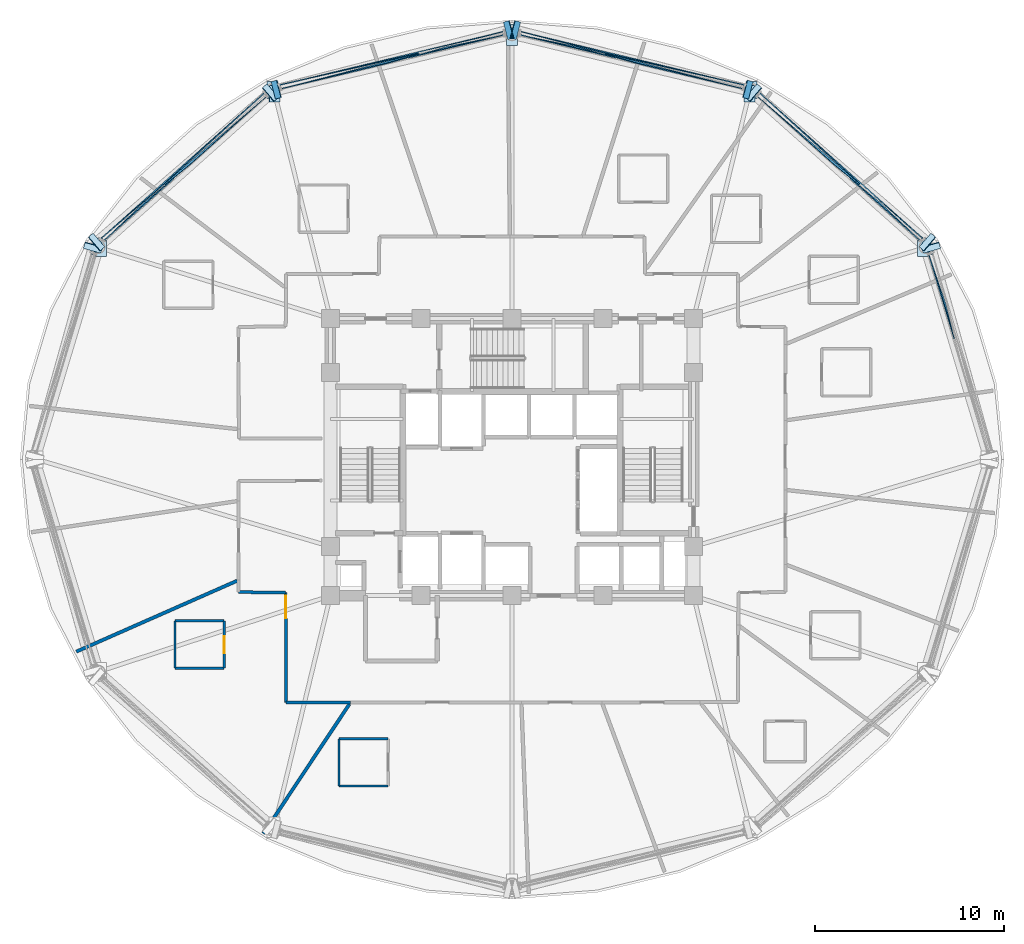
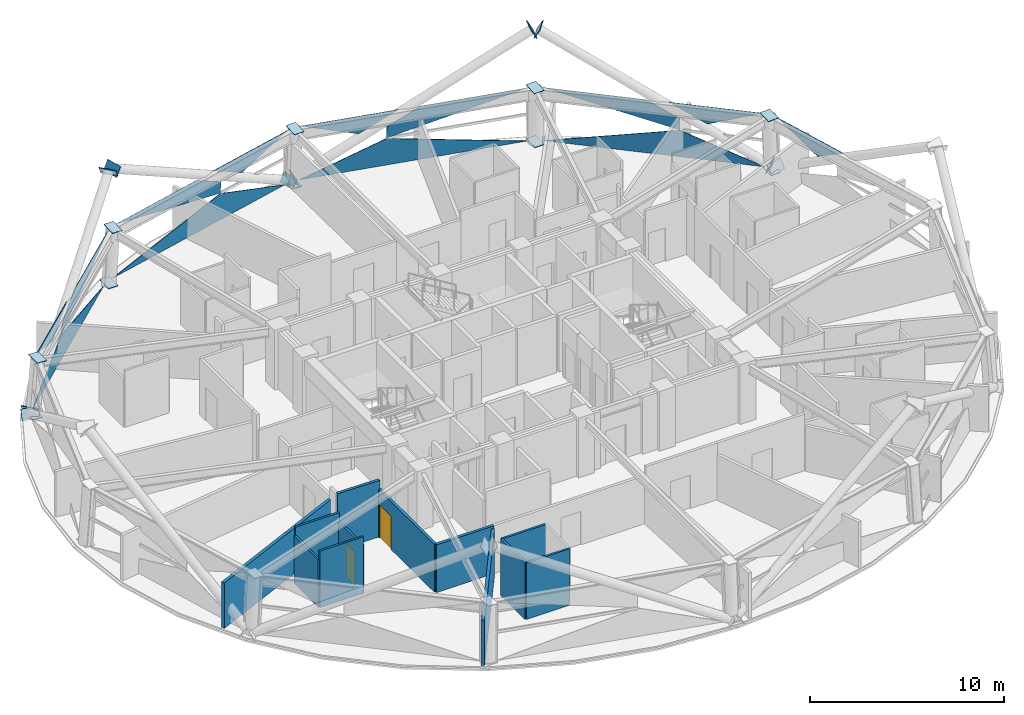
# One storey, part 5 of 13: 33 plates, 12 walls, 2 doors, 2 openings, 5 elements without a shape of their own.
"""IFC4 building model written with IfcOpenShell, lengths in metres."""

from ifc_helpers import new_model, si_unit, direction, frame, frame_2d, origin, place, context, subcontext, project, spatial, polyline, rectangle, outline, extrude, material, layer, layer_set, type_object, element, fill, aggregate, save


model = new_model("IFC4")

# Units and contexts
model_context = context("Model", 3, precision=1e-05, world=origin(), true_north=direction((0.0, 1.0)))
body_context = subcontext(model_context, "Body", "Model", "MODEL_VIEW")
ifc_project = project(units=[si_unit("LENGTHUNIT", "METRE"), si_unit("AREAUNIT", "SQUARE_METRE"), si_unit("VOLUMEUNIT", "CUBIC_METRE"), si_unit("PLANEANGLEUNIT", "RADIAN"), si_unit("MASSUNIT", "GRAM", prefix="KILO")], contexts=[model_context])

# Site, building, storey
site_placement = place(None, origin())
site = spatial("IfcSite", under=ifc_project, at=site_placement, CompositionType="ELEMENT")
building_placement = place(site_placement, origin())
building = spatial("IfcBuilding", under=site, at=building_placement, Name="Vantalir Tower", CompositionType="ELEMENT")
storey_placement = place(building_placement, frame((0.0, 0.0, 127.199951171875)))
storey = spatial("IfcBuildingStorey", under=building, at=storey_placement, Name="L31", CompositionType="ELEMENT", Elevation=127.199951171875)

# Curtain wall, plate
ifc_material_1 = material(Name="Champagne-silver PVDF aluminium and double-silver Low-E glass", Category="aluminium")
ifc_layer_1 = layer(ifc_material_1, 0.199951171875)
ifc_layer_set_1 = layer_set([ifc_layer_1], Name="Champagne-silver PVDF aluminium and double-silver Low-E glass")
curtain_wall_type = type_object("IfcCurtainWallType", Name="CW-DIAMOND-Z2", PredefinedType="USERDEFINED", material=ifc_layer_set_1)
curtain_wall_1_placement = place(storey_placement, origin())
curtain_wall_1 = element("IfcCurtainWall", 1, at=curtain_wall_1_placement, inside=storey, type_object=curtain_wall_type, Name="L31 Quilted Pyramid-Diamond Curtain Wall S01", ObjectType="UNITISED CURTAIN WALL", PredefinedType="USERDEFINED")
ifc_material_2 = material(Name="Double-silver Low-E laminated glass IGU", Category="glass")
ifc_layer_2 = layer(ifc_material_2, 0.028076171875)
ifc_layer_set_2 = layer_set([ifc_layer_2], Name="Double-silver Low-E laminated glass IGU")
plate_type_1 = type_object("IfcPlateType", Name="CWP-IGU-28", PredefinedType="CURTAIN_PANEL", material=ifc_layer_set_2)
plate_1_placement = place(storey_placement, frame((54.8955078125, 31.390380859375, 3.526123046875), z_axis=(0.954464104771, 0.286951112937, 0.081592472003), x_axis=(-0.287906953715, 0.95765838546, -5.2537765e-05)))
plate_1 = element("IfcPlate", 2, at=plate_1_placement, type_object=plate_type_1, Name="CW-L31-S01 Pyramid Diamond Facet 2U Infill Light", PredefinedType="CURTAIN_PANEL", context=body_context, shape_type="SweptSolid", body=[
    extrude(outline(polyline([(0.0, 0.0), (4.646954885025732, 1.0733601507606494e-17), (1.9009027733540358, -1.1516893417151628), (0.0, 0.0)])), origin(), (0.0, 0.0, -1.0), 0.028076171875),
])
aggregate(curtain_wall_1, [plate_1])

# Curtain wall, plates
curtain_wall_2_placement = place(storey_placement, origin())
curtain_wall_2 = element("IfcCurtainWall", 3, at=curtain_wall_2_placement, inside=storey, type_object=curtain_wall_type, Name="L31 Quilted Pyramid-Diamond Curtain Wall S02", ObjectType="UNITISED CURTAIN WALL", PredefinedType="USERDEFINED")
plate_2_placement = place(storey_placement, frame((53.270263671875, 36.6806640625, 0.046630859375), z_axis=(0.664495598822, 0.745553237794, 0.05095065025), x_axis=(-0.746522128378, 0.665360587501, -2.1031755e-05)))
plate_2 = element("IfcPlate", 4, at=plate_2_placement, type_object=plate_type_1, Name="CW-L31-S02 Pyramid Diamond Facet 1L", PredefinedType="CURTAIN_PANEL", context=body_context, shape_type="SweptSolid", body=[
    extrude(outline(polyline([(0.0, 0.0), (11.60819104345454, 3.3881317890172014e-17), (4.432605322571224, 1.7289012709835132), (0.0, 0.0)])), origin(), (0.0, 0.0, -1.0), 0.028076171875),
])
plate_3_placement = place(storey_placement, frame((48.539794921875, 40.595947265625, 3.5234375), z_axis=(0.66339531728, 0.744191889162, 0.078006955569), x_axis=(-0.746468882585, 0.665420322245, 4.5566498e-05)))
plate_3 = element("IfcPlate", 5, at=plate_3_placement, type_object=plate_type_1, Name="CW-L31-S02 Pyramid Diamond Facet 2U", PredefinedType="CURTAIN_PANEL", context=body_context, shape_type="SweptSolid", body=[
    extrude(outline(polyline([(0.0, 0.0), (5.436361993796719, 1.0381235801548705e-17), (-1.7039841558390287, -1.732006743199589), (-1.703850767369234, -0.9767721459295923), (0.0, 0.0)])), origin(), (0.0, 0.0, -1.0), 0.028076171875),
])
plate_4_placement = place(storey_placement, frame((53.07763671875, 36.593505859375, 3.52587890625), z_axis=(0.663383076974, 0.744191700936, 0.07811277387), x_axis=(-0.746475119332, 0.665413325492, 4.9761691e-05)))
plate_4 = element("IfcPlate", 6, at=plate_4_placement, type_object=plate_type_1, Name="CW-L31-S02 Pyramid Diamond Facet 2U Infill Light", PredefinedType="CURTAIN_PANEL", context=body_context, shape_type="SweptSolid", body=[
    extrude(outline(polyline([(0.0, 0.0), (4.906196363119461, 1.1655173354219173e-18), (2.894255856505623, -1.1533261819449703), (0.0, 0.0)])), origin(), (0.0, 0.0, -1.0), 0.028076171875),
])
aggregate(curtain_wall_2, [plate_2, plate_3, plate_4])

curtain_wall_3_placement = place(storey_placement, origin())
curtain_wall_3 = element("IfcCurtainWall", 7, at=curtain_wall_3_placement, inside=storey, type_object=curtain_wall_type, Name="L31 Quilted Pyramid-Diamond Curtain Wall S03", ObjectType="UNITISED CURTAIN WALL", PredefinedType="USERDEFINED")
plate_5_placement = place(storey_placement, frame((43.822509765625, 44.812744140625, 0.04638671875), z_axis=(0.232037242164, 0.971529547139, 0.04784409352), x_axis=(-0.972643625373, 0.232302340973, 1.9988155e-05)))
plate_5 = element("IfcPlate", 8, at=plate_5_placement, type_object=plate_type_1, Name="CW-L31-S03 Pyramid Diamond Facet 1L", PredefinedType="CURTAIN_PANEL", context=body_context, shape_type="SweptSolid", body=[
    extrude(outline(polyline([(0.0, 0.0), (12.214264961195568, 2.4015078120553923e-17), (7.565464822141652, 1.7291238681556835), (0.0, 0.0)])), origin(), (0.0, 0.0, -1.0), 0.028076171875),
])
plate_6_placement = place(storey_placement, frame((43.699462890625, 44.621826171875, 3.523681640625), z_axis=(0.231644734537, 0.969894203684, 0.075139540999), x_axis=(-0.972643853908, 0.232301384961, 8.05913e-07)))
plate_6 = element("IfcPlate", 9, at=plate_6_placement, type_object=plate_type_1, Name="CW-L31-S03 Pyramid Diamond Facet 2U", PredefinedType="CURTAIN_PANEL", context=body_context, shape_type="SweptSolid", body=[
    extrude(outline(polyline([(0.0, 0.0), (5.710148549082247, 0.0), (7.4900020245814565, -0.976154268160542), (7.489995886162865, -1.7319483838426646), (0.0, 0.0)])), origin(), (0.0, 0.0, -1.0), 0.028076171875),
])
plate_7_placement = place(storey_placement, frame((37.0, 46.25439453125, 3.526123046875), z_axis=(0.231622970401, 0.969877846155, 0.075417260089), x_axis=(-0.972647058817, 0.232287960868, -4.7021854e-05)))
plate_7 = element("IfcPlate", 10, at=plate_7_placement, type_object=plate_type_1, Name="CW-L31-S03 Pyramid Diamond Facet 2U Infill Light", PredefinedType="CURTAIN_PANEL", context=body_context, shape_type="SweptSolid", body=[
    extrude(outline(polyline([(0.0, 0.0), (5.1920671350909995, 7.182839392716467e-18), (2.114330750410675, -1.1594526294972156), (0.0, 0.0)])), origin(), (0.0, 0.0, -1.0), 0.028076171875),
])
aggregate(curtain_wall_3, [plate_5, plate_6, plate_7])

curtain_wall_4_placement = place(storey_placement, origin())
curtain_wall_4 = element("IfcCurtainWall", 11, at=curtain_wall_4_placement, inside=storey, type_object=curtain_wall_type, Name="L31 Quilted Pyramid-Diamond Curtain Wall S04", ObjectType="UNITISED CURTAIN WALL", PredefinedType="USERDEFINED")
plate_8_placement = place(storey_placement, frame((31.0576171875, 47.650146484375, 0.046630859375), z_axis=(-0.232037242164, 0.971529547139, 0.04784409352), x_axis=(-0.972643625373, -0.232302340973, -1.9988155e-05)))
plate_8 = element("IfcPlate", 12, at=plate_8_placement, type_object=plate_type_1, Name="CW-L31-S04 Pyramid Diamond Facet 1L", PredefinedType="CURTAIN_PANEL", context=body_context, shape_type="SweptSolid", body=[
    extrude(outline(polyline([(0.0, 0.0), (12.214264961195568, -2.4015078120553923e-17), (4.648800139053915, 1.7291238681556835), (0.0, 0.0)])), origin(), (0.0, 0.0, -1.0), 0.028076171875),
])
plate_9_placement = place(storey_placement, frame((24.85498046875, 45.9482421875, 3.523681640625), z_axis=(-0.231668009099, 0.969888032768, 0.075147438097), x_axis=(-0.972638251566, -0.232324840664, -1.126307e-06)))
plate_9 = element("IfcPlate", 13, at=plate_9_placement, type_object=plate_type_1, Name="CW-L31-S04 Pyramid Diamond Facet 2U", PredefinedType="CURTAIN_PANEL", context=body_context, shape_type="SweptSolid", body=[
    extrude(outline(polyline([(0.0, 0.0), (5.709673624926057, 0.0), (-1.779612461049449, -1.7319499890499306), (-1.7796174731665495, -0.9759124235670151), (0.0, 0.0)])), origin(), (0.0, 0.0, -1.0), 0.028076171875),
])
plate_10_placement = place(storey_placement, frame((31.050048828125, 47.46044921875, 3.52587890625), z_axis=(-0.231633913131, 0.969876772604, 0.075397455201), x_axis=(-0.972644521452, -0.232298585185, 4.7024005e-05)))
plate_10 = element("IfcPlate", 14, at=plate_10_placement, type_object=plate_type_1, Name="CW-L31-S04 Pyramid Diamond Facet 2U Infill Light", PredefinedType="CURTAIN_PANEL", context=body_context, shape_type="SweptSolid", body=[
    extrude(outline(polyline([(0.0, 0.0), (5.191829672739885, -1.8973538018496328e-18), (3.0774979648221437, -1.159450883424487), (0.0, 0.0)])), origin(), (0.0, 0.0, -1.0), 0.028076171875),
])
aggregate(curtain_wall_4, [plate_8, plate_9, plate_10])

curtain_wall_5_placement = place(storey_placement, origin())
curtain_wall_5 = element("IfcCurtainWall", 15, at=curtain_wall_5_placement, inside=storey, type_object=curtain_wall_type, Name="L31 Quilted Pyramid-Diamond Curtain Wall S05", ObjectType="UNITISED CURTAIN WALL", PredefinedType="USERDEFINED")
plate_11_placement = place(storey_placement, frame((18.3955078125, 44.404296875, 0.04638671875), z_axis=(-0.664492413403, 0.745549666776, 0.051044362078), x_axis=(-0.746522128378, -0.665360587501, 2.1031755e-05)))
plate_11 = element("IfcPlate", 16, at=plate_11_placement, type_object=plate_type_1, Name="CW-L31-S05 Pyramid Diamond Facet 1L", PredefinedType="CURTAIN_PANEL", context=body_context, shape_type="SweptSolid", body=[
    extrude(outline(polyline([(0.0, 0.0), (11.60819104345454, 5.827586677109586e-18), (7.175403464504319, 1.7289095589256502), (0.0, 0.0)])), origin(), (0.0, 0.0, -1.0), 0.028076171875),
])
plate_12_placement = place(storey_placement, frame((18.519287109375, 44.21337890625, 3.523681640625), z_axis=(-0.663346064852, 0.744232583303, 0.07803755632), x_axis=(-0.746511477638, -0.665372536034, -4.5230868e-05)))
plate_12 = element("IfcPlate", 17, at=plate_12_placement, type_object=plate_type_1, Name="CW-L31-S05 Pyramid Diamond Facet 2U", PredefinedType="CURTAIN_PANEL", context=body_context, shape_type="SweptSolid", body=[
    extrude(outline(polyline([(0.0, 0.0), (5.436726493141416, -5.4752209710517974e-18), (7.140764058625557, -0.9767768710721759), (7.14090096863787, -1.7320114687632533), (0.0, 0.0)])), origin(), (0.0, 0.0, -1.0), 0.028076171875),
])
plate_13_placement = place(storey_placement, frame((13.585205078125, 39.8583984375, 3.526123046875), z_axis=(-0.663364952544, 0.744214935894, 0.078045300489), x_axis=(-0.74649446604, -0.665391621299, -4.9756346e-05)))
plate_13 = element("IfcPlate", 18, at=plate_13_placement, type_object=plate_type_1, Name="CW-L31-S05 Pyramid Diamond Facet 2U Infill Light", PredefinedType="CURTAIN_PANEL", context=body_context, shape_type="SweptSolid", body=[
    extrude(outline(polyline([(0.0, 0.0), (4.906723309422983, 3.596840707220661e-17), (2.01228781774085, -1.1533200621248239), (0.0, 0.0)])), origin(), (0.0, 0.0, -1.0), 0.028076171875),
])
aggregate(curtain_wall_5, [plate_11, plate_12, plate_13])

# Plates
ifc_material_3 = material(Name="Steel S460", Category="steel")
ifc_layer_3 = layer(ifc_material_3, 0.0400390625)
ifc_layer_set_3 = layer_set([ifc_layer_3], Name="Steel S460")
plate_type_2 = type_object("IfcPlateType", Name="PLT-KN-Z1", PredefinedType="USERDEFINED", material=ifc_layer_set_3)
plate_14_placement = place(storey_placement, frame((53.652587890625, 36.9677734375, -0.075439453125), z_axis=(-0.657880455945, 0.565362533472, 0.497552521279), x_axis=(-0.651764433453, -0.758421468107, 0.0)))
element("IfcPlate", 19, at=plate_14_placement, inside=storey, type_object=plate_type_2, Name="Node Cap Plate MEM-DG-L31-R04L Start", ObjectType="FLANGE_PLATE", PredefinedType="USERDEFINED", context=body_context, shape_type="SweptSolid", body=[
    extrude(outline(polyline([(0.0, 0.0), (0.9499453993214806, -2.7755575615628914e-17), (0.9500794233625794, 0.6200378222350169), (0.0001340240410987885, 0.6200378222350169), (0.0, 0.0)])), origin(), (0.0, 0.0, -1.0), 0.0400390625),
])
plate_15_placement = place(storey_placement, frame((44.458251953125, 44.870361328125, 6.877685546875), z_axis=(-0.657964454071, 0.565434718917, 0.497359382964), x_axis=(-0.651764433453, -0.758421468107, 0.0)))
element("IfcPlate", 20, at=plate_15_placement, inside=storey, type_object=plate_type_2, Name="Node Cap Plate MEM-DG-L31-R04L End", ObjectType="FLANGE_PLATE", PredefinedType="USERDEFINED", context=body_context, shape_type="SweptSolid", body=[
    extrude(outline(polyline([(0.0, 0.0), (0.9499453993214806, 0.0), (0.9498942618713423, 0.6199586659604027), (-5.1137450138307313e-05, 0.6199586659604027), (0.0, 0.0)])), origin(), (0.0, 0.0, -1.0), 0.0400390625),
])
plate_16_placement = place(storey_placement, frame((53.248046875, 35.90771484375, -0.06689453125), z_axis=(0.22987995542, -0.823699878502, 0.518337454032), x_axis=(0.963193206575, 0.268810057118, 0.0)))
element("IfcPlate", 21, at=plate_16_placement, inside=storey, type_object=plate_type_2, Name="Node Cap Plate MEM-DG-L31-R04R Start", ObjectType="FLANGE_PLATE", PredefinedType="USERDEFINED", context=body_context, shape_type="SweptSolid", body=[
    extrude(outline(polyline([(0.0, 0.0), (0.9500057270479744, -2.7755575615628914e-17), (0.9499766150601323, 0.6200750855473708), (-2.9111987842133505e-05, 0.6200750855473708), (0.0, 0.0)])), origin(), (0.0, 0.0, -1.0), 0.0400390625),
])
plate_17_placement = place(storey_placement, frame((31.0439453125, 48.12939453125, -0.08203125), z_axis=(-0.849163873322, -0.217725662174, 0.481161357837), x_axis=(0.248345317518, -0.968671565466, -3.9043608e-05)))
element("IfcPlate", 22, at=plate_17_placement, inside=storey, type_object=plate_type_2, Name="Node Cap Plate MEM-DG-L31-R10L Start", ObjectType="FLANGE_PLATE", PredefinedType="USERDEFINED", context=body_context, shape_type="SweptSolid", body=[
    extrude(outline(polyline([(0.0, 0.0), (0.9499083757236314, 1.3877787807814457e-17), (0.9500173748775769, 0.6199797567109566), (-0.00018812410850180944, 0.6198951290716097), (0.0, 0.0)])), origin(), (0.0, 0.0, -1.0), 0.0400390625),
])
plate_18_placement = place(storey_placement, frame((18.75634765625, 44.97998046875, 6.8779296875), z_axis=(-0.849281928704, -0.217672152594, 0.48097717156), x_axis=(0.248276411705, -0.968689229521, 0.0)))
element("IfcPlate", 23, at=plate_18_placement, inside=storey, type_object=plate_type_2, Name="Node Cap Plate MEM-DG-L31-R10L End", ObjectType="FLANGE_PLATE", PredefinedType="USERDEFINED", context=body_context, shape_type="SweptSolid", body=[
    extrude(outline(polyline([(0.0, 0.0), (0.9499083788509355, 1.3877787807814457e-17), (0.9499567573915874, 0.6198659774651539), (4.837854065190657e-05, 0.6198659774651539), (0.0, 0.0)])), origin(), (0.0, 0.0, -1.0), 0.0400390625),
])
plate_19_placement = place(storey_placement, frame((31.72021484375, 47.209228515625, -0.08203125), z_axis=(0.849163873322, -0.217725662174, 0.481161357837), x_axis=(0.248345317518, 0.968671565466, 3.9043608e-05)))
element("IfcPlate", 24, at=plate_19_placement, inside=storey, type_object=plate_type_2, Name="Node Cap Plate MEM-DG-L31-R10R Start", ObjectType="FLANGE_PLATE", PredefinedType="USERDEFINED", context=body_context, shape_type="SweptSolid", body=[
    extrude(outline(polyline([(0.0, 0.0), (0.9499083757236314, -1.3877787807814457e-17), (0.9500964998321331, 0.6198951290716097), (-0.00010899915394550079, 0.6199797567109566), (0.0, 0.0)])), origin(), (0.0, 0.0, -1.0), 0.0400390625),
])
plate_20_placement = place(storey_placement, frame((44.0087890625, 44.059814453125, 6.8779296875), z_axis=(0.849281928704, -0.217672152594, 0.48097717156), x_axis=(0.248276411705, 0.968689229521, 0.0)))
element("IfcPlate", 25, at=plate_20_placement, inside=storey, type_object=plate_type_2, Name="Node Cap Plate MEM-DG-L31-R10R End", ObjectType="FLANGE_PLATE", PredefinedType="USERDEFINED", context=body_context, shape_type="SweptSolid", body=[
    extrude(outline(polyline([(0.0, 0.0), (0.9499083788509355, -1.3877787807814457e-17), (0.9498600003102835, 0.6198659774651539), (-4.837854065190657e-05, 0.6198659774651539), (0.0, 0.0)])), origin(), (0.0, 0.0, -1.0), 0.0400390625),
])
plate_21_placement = place(storey_placement, frame((8.8369140625, 36.1630859375, -0.06689453125), z_axis=(-0.22987995542, -0.823699878502, 0.518337454032), x_axis=(0.963193206575, -0.268810057118, 0.0)))
element("IfcPlate", 26, at=plate_21_placement, inside=storey, type_object=plate_type_2, Name="Node Cap Plate MEM-DG-L31-R16L Start", ObjectType="FLANGE_PLATE", PredefinedType="USERDEFINED", context=body_context, shape_type="SweptSolid", body=[
    extrude(outline(polyline([(0.0, 0.0), (0.9500057270479744, 2.7755575615628914e-17), (0.9500348390358164, 0.6200750855473708), (2.9111987842133505e-05, 0.6200750855473708), (0.0, 0.0)])), origin(), (0.0, 0.0, -1.0), 0.0400390625),
])
plate_22_placement = place(storey_placement, frame((9.966552734375, 36.247314453125, -0.075439453125), z_axis=(0.657880455945, 0.565362533472, 0.497552521279), x_axis=(-0.651764433453, 0.758421468107, 0.0)))
element("IfcPlate", 27, at=plate_22_placement, inside=storey, type_object=plate_type_2, Name="Node Cap Plate MEM-DG-L31-R16R Start", ObjectType="FLANGE_PLATE", PredefinedType="USERDEFINED", context=body_context, shape_type="SweptSolid", body=[
    extrude(outline(polyline([(0.0, 0.0), (0.9499453993214806, 2.7755575615628914e-17), (0.9498113752803818, 0.6200378222350169), (-0.0001340240410987885, 0.6200378222350169), (0.0, 0.0)])), origin(), (0.0, 0.0, -1.0), 0.0400390625),
])
plate_23_placement = place(storey_placement, frame((19.161865234375, 44.14990234375, 6.877685546875), z_axis=(0.657964454071, 0.565434718917, 0.497359382964), x_axis=(-0.651764433453, 0.758421468107, 0.0)))
element("IfcPlate", 28, at=plate_23_placement, inside=storey, type_object=plate_type_2, Name="Node Cap Plate MEM-DG-L31-R16R End", ObjectType="FLANGE_PLATE", PredefinedType="USERDEFINED", context=body_context, shape_type="SweptSolid", body=[
    extrude(outline(polyline([(0.0, 0.0), (0.9499453993214806, 0.0), (0.949996536771619, 0.6199586659604027), (5.1137450138307313e-05, 0.6199586659604027), (0.0, 0.0)])), origin(), (0.0, 0.0, -1.0), 0.0400390625),
])
ifc_layer_4 = layer(ifc_material_3, 0.035888671875)
ifc_layer_set_4 = layer_set([ifc_layer_4], Name="Steel S460")
plate_type_3 = type_object("IfcPlateType", Name="PLT-KN-Z2", PredefinedType="USERDEFINED", material=ifc_layer_set_4)
plate_24_placement = place(storey_placement, frame((52.93994140625, 36.611572265625, 3.59423828125), z_axis=(-0.059819631121, -0.031014558546, 0.997727271799), x_axis=(0.0, -0.999517204822, -0.031070198984)))
element("IfcPlate", 29, at=plate_24_placement, inside=storey, type_object=plate_type_3, Name="L31 Ring Column Top Cap RC02", ObjectType="FLANGE_PLATE", PredefinedType="USERDEFINED", context=body_context, shape_type="SweptSolid", body=[
    extrude(outline(polyline([(0.0, 0.0), (0.880063562319266, 0.0), (0.880206535407243, 0.579895898064332), (0.00014297308797702867, 0.5798958980643321), (0.0, 0.0)])), origin(), (0.0, 0.0, -1.0), 0.035888671875),
])
plate_25_placement = place(storey_placement, frame((53.15234375, 36.7216796875, 0.04931640625), z_axis=(-0.059806597122, -0.031014582812, 0.997728052424), x_axis=(0.0, -0.999517204822, -0.031070198984)))
element("IfcPlate", 30, at=plate_25_placement, inside=storey, type_object=plate_type_3, Name="L31 Ring Column Base Cap RC02", ObjectType="FLANGE_PLATE", PredefinedType="USERDEFINED", context=body_context, shape_type="SweptSolid", body=[
    extrude(outline(polyline([(0.0, 0.0), (0.880063562319266, 2.168404344971009e-19), (0.8799625126521595, 0.5798954443520866), (-0.00010104966710645512, 0.5798954443520865), (0.0, 0.0)])), origin(), (0.0, 0.0, -1.0), 0.035888671875),
])
plate_26_placement = place(storey_placement, frame((43.756103515625, 44.789306640625, 3.611572265625), z_axis=(-0.034336460706, -0.053655736625, 0.99796897216), x_axis=(4.753759e-06, -0.998557800612, -0.053687231389)))
element("IfcPlate", 31, at=plate_26_placement, inside=storey, type_object=plate_type_3, Name="L31 Ring Column Top Cap RC03", ObjectType="FLANGE_PLATE", PredefinedType="USERDEFINED", context=body_context, shape_type="SweptSolid", body=[
    extrude(outline(polyline([(0.0, 0.0), (0.8799245996242346, 2.168404344971009e-19), (0.8798408241451479, 0.5801719118725511), (-9.688271331262876e-05, 0.5801802827699512), (0.0, 0.0)])), origin(), (0.0, 0.0, -1.0), 0.035888671875),
])
plate_27_placement = place(storey_placement, frame((43.87841796875, 44.97998046875, 0.066650390625), z_axis=(-0.03435090719, -0.053655709972, 0.997968476437), x_axis=(-4.755686e-06, -0.998557783068, -0.0536875577)))
element("IfcPlate", 32, at=plate_27_placement, inside=storey, type_object=plate_type_3, Name="L31 Ring Column Base Cap RC03", ObjectType="FLANGE_PLATE", PredefinedType="USERDEFINED", context=body_context, shape_type="SweptSolid", body=[
    extrude(outline(polyline([(0.0, 0.0), (0.8799377068982851, 2.168404344971009e-19), (0.8798353048969669, 0.5799362869808088), (-8.929468742679926e-05, 0.5799279126862383), (0.0, 0.0)])), origin(), (0.0, 0.0, -1.0), 0.035888671875),
])
plate_28_placement = place(storey_placement, frame((31.2099609375, 47.782470703125, 3.625244140625), z_axis=(0.0, -0.061860176778, 0.998084825317), x_axis=(0.0, -0.998084825317, -0.061860176778)))
element("IfcPlate", 33, at=plate_28_placement, inside=storey, type_object=plate_type_3, Name="L31 Ring Column Top Cap RC04", ObjectType="FLANGE_PLATE", PredefinedType="USERDEFINED", context=body_context, shape_type="SweptSolid", body=[
    extrude(outline(polyline([(0.0, 0.0), (0.8801035207308919, 0.0), (0.8801035207308919, 0.5800781249999999), (0.0, 0.5800781249999999), (0.0, 0.0)])), origin(), (0.0, 0.0, -1.0), 0.035888671875),
])
plate_29_placement = place(storey_placement, frame((31.2099609375, 48.001953125, 0.080078125), z_axis=(0.0, -0.0615838313, 0.998101914497), x_axis=(0.0, -0.998101914497, -0.0615838313)))
element("IfcPlate", 34, at=plate_29_placement, inside=storey, type_object=plate_type_3, Name="L31 Ring Column Base Cap RC04", ObjectType="FLANGE_PLATE", PredefinedType="USERDEFINED", context=body_context, shape_type="SweptSolid", body=[
    extrude(outline(polyline([(0.0, 0.0), (0.8800884518819607, 0.0), (0.8800884518819607, 0.580078125), (0.0, 0.580078125), (0.0, 0.0)])), origin(), (0.0, 0.0, -1.0), 0.035888671875),
])
plate_30_placement = place(storey_placement, frame((18.6650390625, 44.788330078125, 3.631591796875), z_axis=(0.034756153639, -0.053654957755, 0.997954485582), x_axis=(-4.811794e-06, -0.998557800827, -0.053687227377)))
element("IfcPlate", 35, at=plate_30_placement, inside=storey, type_object=plate_type_3, Name="L31 Ring Column Top Cap RC05", ObjectType="FLANGE_PLATE", PredefinedType="USERDEFINED", context=body_context, shape_type="SweptSolid", body=[
    extrude(outline(polyline([(0.0, 0.0), (0.8799245996244796, 4.336808689942018e-19), (0.8800345558397896, 0.5801887559904364), (9.684898206359393e-05, 0.5801802827759542), (0.0, 0.0)])), origin(), (0.0, 0.0, -1.0), 0.035888671875),
])
plate_31_placement = place(storey_placement, frame((18.5419921875, 44.97900390625, 0.086669921875), z_axis=(0.034560819917, -0.053793564512, 0.99795380762), x_axis=(0.0, -0.998550345173, -0.05382572019)))
element("IfcPlate", 36, at=plate_31_placement, inside=storey, type_object=plate_type_3, Name="L31 Ring Column Base Cap RC05", ObjectType="FLANGE_PLATE", PredefinedType="USERDEFINED", context=body_context, shape_type="SweptSolid", body=[
    extrude(outline(polyline([(0.0, 0.0), (0.8799377153310858, 0.0), (0.8800401341970239, 0.5799362997729246), (0.00010241886593812064, 0.5799362997729247), (0.0, 0.0)])), origin(), (0.0, 0.0, -1.0), 0.035888671875),
])
plate_32_placement = place(storey_placement, frame((9.481201171875, 36.6103515625, 3.62890625), z_axis=(0.059819631121, -0.031014558546, 0.997727271799), x_axis=(0.0, -0.999517204822, -0.031070198984)))
element("IfcPlate", 37, at=plate_32_placement, inside=storey, type_object=plate_type_3, Name="L31 Ring Column Top Cap RC06", ObjectType="FLANGE_PLATE", PredefinedType="USERDEFINED", context=body_context, shape_type="SweptSolid", body=[
    extrude(outline(polyline([(0.0, 0.0), (0.880063562319266, 0.0), (0.8799205892312889, 0.5798958980643321), (-0.00014297308797702867, 0.5798958980643321), (0.0, 0.0)])), origin(), (0.0, 0.0, -1.0), 0.035888671875),
])
plate_33_placement = place(storey_placement, frame((9.268798828125, 36.720703125, 0.083984375), z_axis=(0.059806597122, -0.031014582812, 0.997728052424), x_axis=(0.0, -0.999517204822, -0.031070198984)))
element("IfcPlate", 38, at=plate_33_placement, inside=storey, type_object=plate_type_3, Name="L31 Ring Column Base Cap RC06", ObjectType="FLANGE_PLATE", PredefinedType="USERDEFINED", context=body_context, shape_type="SweptSolid", body=[
    extrude(outline(polyline([(0.0, 0.0), (0.880063562319266, -2.168404344971009e-19), (0.8801646119863723, 0.5798954443520866), (0.00010104966710645512, 0.5798954443520865), (0.0, 0.0)])), origin(), (0.0, 0.0, -1.0), 0.035888671875),
])

# Walls
ifc_material_4 = material(Name="Moisture-resistant en-suite partition", Category="gypsum")
ifc_layer_5 = layer(ifc_material_4, 0.125)
ifc_layer_set_5 = layer_set([ifc_layer_5], Name="Moisture-resistant en-suite partition")
wall_type_1 = type_object("IfcWallType", Name="WL-BATH-125", PredefinedType="PARTITIONING", material=ifc_layer_set_5)
for number, where, z_axis, x_axis, name in (
    (39, (13.677978515625, 13.967041015625, 0.0), (0.0, 0.0, 1.0), (1.0, 0.0, 0.0), "L31 En-suite 11 South Wall"),
    (40, (13.677978515625, 16.467041015625, 0.0), (0.0, 0.0, 1.0), (1.0, 0.0, 0.0), "L31 En-suite 11 North Wall"),
):
    element("IfcWall", number, at=place(storey_placement, frame(where, z_axis=z_axis, x_axis=x_axis)), inside=storey, type_object=wall_type_1, Name=name, PredefinedType="PARTITIONING", context=body_context, shape_type="SweptSolid", body=[
        extrude(rectangle(XDim=2.60009765625, YDim=0.125, at=frame_2d((1.300048828125, 0.0))), origin(), (0.0, 0.0, 1.0), 3.550048828125),
    ])
wall_1_placement = place(storey_placement, frame((13.677978515625, 13.967041015625, 0.0), z_axis=(0.0, 0.0, 1.0), x_axis=(0.0, 1.0, 0.0)))
element("IfcWall", 41, at=wall_1_placement, inside=storey, type_object=wall_type_1, Name="L31 En-suite 11 West Wall", PredefinedType="PARTITIONING", context=body_context, shape_type="SweptSolid", body=[
    extrude(rectangle(XDim=2.5, YDim=0.125, at=frame_2d((1.25, 0.0))), origin(), (0.0, 0.0, 1.0), 3.006103515625),
])

# Wall, opening, door
wall_2_placement = place(storey_placement, frame((16.278076171875, 13.967041015625, 0.0), z_axis=(0.0, 0.0, 1.0), x_axis=(0.0, 1.0, 0.0)))
wall_2 = element("IfcWall", 42, at=wall_2_placement, inside=storey, type_object=wall_type_1, Name="L31 En-suite 11 East Wall", PredefinedType="PARTITIONING", context=body_context, shape_type="SweptSolid", body=[
    extrude(rectangle(XDim=2.5, YDim=0.125, at=frame_2d((1.25, 0.0))), origin(), (0.0, 0.0, 1.0), 3.006103515625),
])
opening_1_placement = place(wall_2_placement, frame((0.800048828125, 0.0, 0.0)))
opening_1 = element("IfcOpeningElement", 43, at=opening_1_placement, cuts=wall_2, Name="Opening D-WC", PredefinedType="OPENING", context=body_context, shape_type="SweptSolid", body=[
    extrude(rectangle(XDim=0.89990234375, YDim=2.10009765625, at=frame_2d((0.449951171875, 1.050048828125))), frame((0.0, 0.072509765625, 0.0), z_axis=(0.0, -1.0, 0.0), x_axis=(1.0, 0.0, 0.0)), (0.0, 0.0, 1.0), 0.14501953125),
])
ifc_material_5 = material(Name="Moisture-resistant hardwood door", Category="wood")
door_type_1 = type_object("IfcDoorType", Name="DR-ENSUITE-900", OperationType="NOTDEFINED", PredefinedType="DOOR", material=ifc_material_5)
door_1_placement = place(opening_1_placement, origin())
door_1 = element("IfcDoor", 44, at=door_1_placement, inside=storey, type_object=door_type_1, Name="L31 En-suite 11 Door", OperationType="SINGLE_SWING_LEFT", OverallHeight=2.10009765625, OverallWidth=0.89990234375, PredefinedType="DOOR", context=body_context, shape_type="SweptSolid", body=[
    extrude(rectangle(XDim=0.89990234375, YDim=2.10009765625, at=frame_2d((0.449951171875, 1.050048828125))), frame((0.0, 0.02490234375, 0.0), z_axis=(0.0, -1.0, 0.0), x_axis=(1.0, 0.0, 0.0)), (0.0, 0.0, 1.0), 0.050048828125),
])
fill(opening_1, door_1)

# Walls
for number, where, z_axis, x_axis, name in (
    (45, (22.35400390625, 7.735107421875, 0.0), (0.0, 0.0, 1.0), (1.0, 0.0, 0.0), "L31 En-suite 12 South Wall"),
    (46, (22.35400390625, 10.235107421875, 0.0), (0.0, 0.0, 1.0), (1.0, 0.0, 0.0), "L31 En-suite 12 North Wall"),
):
    element("IfcWall", number, at=place(storey_placement, frame(where, z_axis=z_axis, x_axis=x_axis)), inside=storey, type_object=wall_type_1, Name=name, PredefinedType="PARTITIONING", context=body_context, shape_type="SweptSolid", body=[
        extrude(rectangle(XDim=2.60009765625, YDim=0.125, at=frame_2d((1.300048828125, 0.0))), origin(), (0.0, 0.0, 1.0), 3.550048828125),
    ])
wall_3_placement = place(storey_placement, frame((22.35400390625, 7.735107421875, 0.0), z_axis=(0.0, 0.0, 1.0), x_axis=(0.0, 1.0, 0.0)))
element("IfcWall", 47, at=wall_3_placement, inside=storey, type_object=wall_type_1, Name="L31 En-suite 12 West Wall", PredefinedType="PARTITIONING", context=body_context, shape_type="SweptSolid", body=[
    extrude(rectangle(XDim=2.5, YDim=0.125, at=frame_2d((1.25, 0.0))), origin(), (0.0, 0.0, 1.0), 3.550048828125),
])
ifc_material_6 = material(Name="Fire-rated hotel corridor acoustic partition", Category="gypsum")
ifc_layer_6 = layer(ifc_material_6, 0.159912109375)
ifc_layer_set_6 = layer_set([ifc_layer_6], Name="Fire-rated hotel corridor acoustic partition")
wall_type_2 = type_object("IfcWallType", Name="WL-CORR-160", PredefinedType="PARTITIONING", material=ifc_layer_set_6)
wall_4_placement = place(storey_placement, frame((22.965087890625, 12.157958984375, 0.0), z_axis=(0.0, 0.0, 1.0), x_axis=(-0.999999959043, -0.000286204911, 0.0)))
element("IfcWall", 48, at=wall_4_placement, inside=storey, type_object=wall_type_2, Name="L31 Corridor Partition 30", PredefinedType="PARTITIONING", context=body_context, shape_type="SweptSolid", body=[
    extrude(rectangle(XDim=3.412109375, YDim=0.159912109375, at=frame_2d((1.7060546875, 0.0))), origin(), (0.0, 0.0, 1.0), 3.006103515625),
])

# Wall, opening, door
wall_5_placement = place(storey_placement, frame((19.552978515625, 12.156982421875, 0.0), z_axis=(0.0, 0.0, 1.0), x_axis=(-0.003113283747, 0.99999515372, 0.0)))
wall_5 = element("IfcWall", 49, at=wall_5_placement, inside=storey, type_object=wall_type_2, Name="L31 Corridor Partition 31", PredefinedType="PARTITIONING", context=body_context, shape_type="SweptSolid", body=[
    extrude(rectangle(XDim=5.802978515625, YDim=0.159912109375, at=frame_2d((2.9013671875, 0.0))), origin(), (0.0, 0.0, 1.0), 3.006103515625),
])
opening_2_placement = place(wall_5_placement, frame((4.443115234375, 0.0, 0.0)))
opening_2 = element("IfcOpeningElement", 50, at=opening_2_placement, cuts=wall_5, Name="Opening D-STE", PredefinedType="OPENING", context=body_context, shape_type="SweptSolid", body=[
    extrude(rectangle(XDim=1.199951171875, YDim=2.10009765625, at=frame_2d((0.60009765625, 1.050048828125))), frame((0.0, 0.08984375, 0.0), z_axis=(0.0, -1.0, 0.0), x_axis=(1.0, 0.0, 0.0)), (0.0, 0.0, 1.0), 0.179931640625),
])
ifc_material_7 = material(Name="Solid-core teak veneer suite entrance door", Category="wood")
door_type_2 = type_object("IfcDoorType", Name="DR-SUITE-ENTRY-1200", OperationType="NOTDEFINED", PredefinedType="DOOR", material=ifc_material_7)
door_2_placement = place(opening_2_placement, origin())
door_2 = element("IfcDoor", 51, at=door_2_placement, inside=storey, type_object=door_type_2, Name="L31 Corner Panorama Hotel Suite 11 Door", OperationType="SINGLE_SWING_RIGHT", OverallHeight=2.10009765625, OverallWidth=1.199951171875, PredefinedType="DOOR", context=body_context, shape_type="SweptSolid", body=[
    extrude(rectangle(XDim=1.199951171875, YDim=2.10009765625, at=frame_2d((0.60009765625, 1.050048828125))), frame((0.0, 0.02490234375, 0.0), z_axis=(0.0, -1.0, 0.0), x_axis=(1.0, 0.0, 0.0)), (0.0, 0.0, 1.0), 0.050048828125),
])
fill(opening_2, door_2)

# Walls
wall_6_placement = place(storey_placement, frame((19.534912109375, 17.9599609375, 0.0), z_axis=(0.0, 0.0, 1.0), x_axis=(-0.999917456219, 0.012848375357, 0.0)))
element("IfcWall", 52, at=wall_6_placement, inside=storey, type_object=wall_type_2, Name="L31 Corridor Partition 32", PredefinedType="PARTITIONING", context=body_context, shape_type="SweptSolid", body=[
    extrude(rectangle(XDim=2.4892578125, YDim=0.159912109375, at=frame_2d((1.24462890625, 0.0))), origin(), (0.0, 0.0, 1.0), 3.550048828125),
])
ifc_material_8 = material(Name="Twin-stud acoustic fire-rated gypsum partition", Category="gypsum")
ifc_layer_7 = layer(ifc_material_8, 0.179931640625)
ifc_layer_set_7 = layer_set([ifc_layer_7], Name="Twin-stud acoustic fire-rated gypsum partition")
wall_type_3 = type_object("IfcWallType", Name="WL-GUEST-180", PredefinedType="PARTITIONING", material=ifc_layer_set_7)
wall_7_placement = place(storey_placement, frame((16.969970703125, 18.593017578125, 0.0), z_axis=(0.0, 0.0, 1.0), x_axis=(-0.914998481558, -0.403457282431, 0.0)))
element("IfcWall", 53, at=wall_7_placement, inside=storey, type_object=wall_type_3, Name="L31 Radial Suite Partition 11", PredefinedType="PARTITIONING", context=body_context, shape_type="SweptSolid", body=[
    extrude(rectangle(XDim=9.299560546875, YDim=0.179931640625, at=frame_2d((4.64990234375, 0.0))), origin(), (0.0, 0.0, 1.0), 2.85302734375),
])
wall_8_placement = place(storey_placement, frame((22.908935546875, 12.074951171875, 0.0), z_axis=(0.0, 0.0, 1.0), x_axis=(-0.553501008126, -0.832848506034, 0.0)))
element("IfcWall", 54, at=wall_8_placement, inside=storey, type_object=wall_type_3, Name="L31 Radial Suite Partition 12", PredefinedType="PARTITIONING", context=body_context, shape_type="SweptSolid", body=[
    extrude(rectangle(XDim=8.225830078125, YDim=0.179931640625, at=frame_2d((4.11279296875, 0.0))), origin(), (0.0, 0.0, 1.0), 2.85302734375),
])

save(model, "model.ifc")
